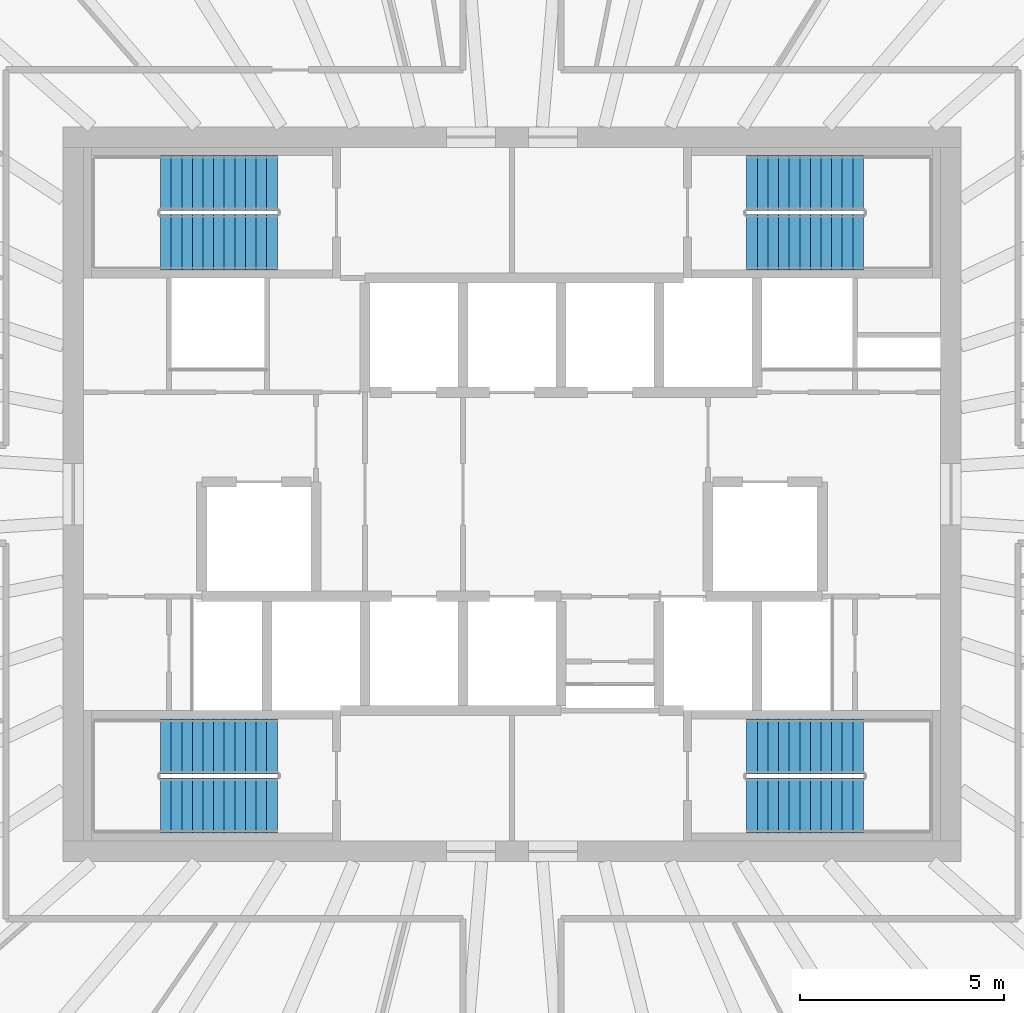
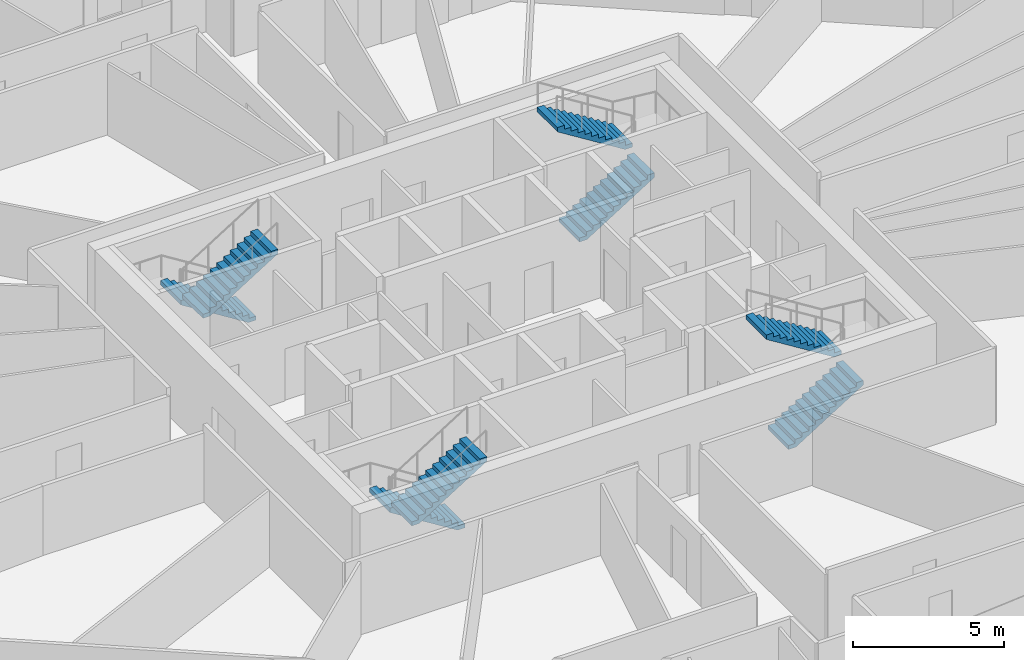
# One storey, part 11 of 12: 8 stair flights, 4 elements without a shape of their own.
"""IFC4 building model written with IfcOpenShell, lengths in metres."""

from ifc_helpers import new_model, si_unit, direction, frame, origin, place, context, subcontext, project, spatial, polyline, outline, extrude, source, transform, mapped, material, type_object, element, aggregate, save


model = new_model("IFC4")

# Units and contexts
model_context = context("Model", 3, precision=1e-05, world=origin(), true_north=direction((0.0, 1.0)))
body_context = subcontext(model_context, "Body", "Model", "MODEL_VIEW")
ifc_project = project(units=[si_unit("LENGTHUNIT", "METRE"), si_unit("AREAUNIT", "SQUARE_METRE"), si_unit("VOLUMEUNIT", "CUBIC_METRE"), si_unit("PLANEANGLEUNIT", "RADIAN"), si_unit("MASSUNIT", "GRAM", prefix="KILO")], contexts=[model_context])

# Site, building, storey
site_placement = place(None, origin())
site = spatial("IfcSite", under=ifc_project, at=site_placement, CompositionType="ELEMENT")
building_placement = place(site_placement, origin())
building = spatial("IfcBuilding", under=site, at=building_placement, Name="Embergate Tower", CompositionType="ELEMENT")
storey_placement = place(building_placement, frame((0.0, 0.0, 253.89990234375)))
storey = spatial("IfcBuildingStorey", under=building, at=storey_placement, Name="L58", CompositionType="ELEMENT", Elevation=253.89990234375)

# Stair, stair flights
ifc_material_1 = material(Name="Exit stair")
stair_type = type_object("IfcStairType", Name="Exit stair", PredefinedType="HALF_TURN_STAIR", material=ifc_material_1)
stair_1_placement = place(storey_placement, origin())
stair_1 = element("IfcStair", 1, at=stair_1_placement, inside=storey, type_object=stair_type, Name="L58 Exit stair 1", PredefinedType="HALF_TURN_STAIR")
ifc_material_2 = material(Name="Concrete C40", Category="concrete")
stair_flight_type = type_object("IfcStairFlightType", Name="Stair flight reinforced concrete", PredefinedType="STRAIGHT", material=ifc_material_2)
shared_shape = source(origin(), body_context, "Body", "SweptSolid", [
    extrude(outline(polyline([(0.0, 0.0), (0.0, 0.16259765625), (0.260009765625, 0.16259765625), (0.260009765625, 0.324951171875), (0.52001953125, 0.324951171875), (0.52001953125, 0.487548828125), (0.780029296875, 0.487548828125), (0.780029296875, 0.64990234375), (1.0400390625, 0.64990234375), (1.0400390625, 0.8125), (1.300048828125, 0.8125), (1.300048828125, 0.97509765625), (1.56005859375, 0.97509765625), (1.56005859375, 1.137451171875), (1.820068359375, 1.137451171875), (1.820068359375, 1.300048828125), (2.080078125, 1.300048828125), (2.080078125, 1.46240234375), (2.340087890625, 1.46240234375), (2.340087890625, 1.625), (2.60009765625, 1.625), (2.60009765625, 1.78759765625), (2.860107421875, 1.78759765625), (2.860107421875, 1.949951171875), (2.860107421875, 1.61083984375), (0.28271484375, 0.0), (0.0, 0.0)])), frame((0.0, 0.675048828125, 0.0), z_axis=(0.0, -1.0, 0.0), x_axis=(1.0, 0.0, 0.0)), (0.0, 0.0, 1.0), 1.35009765625),
])
stair_flight_1_placement = place(storey_placement, frame((-5.75, 7.625, 0.0), z_axis=(0.0, 0.0, 1.0), x_axis=(-1.0, 0.0, 0.0)))
stair_flight_1 = element("IfcStairFlight", 2, at=stair_flight_1_placement, type_object=stair_flight_type, Name="ST1 flight 1", NumberOfRisers=12, NumberOfTreads=11, PredefinedType="STRAIGHT", RiserHeight=0.1625, TreadLength=0.26, context=body_context, shape_type="MappedRepresentation", body=[
    mapped(shared_shape, transform((0.0, 0.0, 0.0))),
])
stair_flight_2_placement = place(storey_placement, frame((-8.610107421875, 6.175048828125, 1.9501953125), z_axis=(0.0, 0.0, 1.0), x_axis=(1.0, 0.0, 0.0)))
stair_flight_2 = element("IfcStairFlight", 3, at=stair_flight_2_placement, type_object=stair_flight_type, Name="ST1 flight 2", NumberOfRisers=12, NumberOfTreads=11, PredefinedType="STRAIGHT", RiserHeight=0.1625, TreadLength=0.26, context=body_context, shape_type="MappedRepresentation", body=[
    mapped(shared_shape, transform((0.0, 0.0, 0.0))),
])
aggregate(stair_1, [stair_flight_1, stair_flight_2])

stair_2_placement = place(storey_placement, origin())
stair_2 = element("IfcStair", 4, at=stair_2_placement, inside=storey, type_object=stair_type, Name="L58 Exit stair 2", PredefinedType="HALF_TURN_STAIR")
stair_flight_3_placement = place(storey_placement, frame((5.75, 6.175048828125, 0.0), z_axis=(0.0, 0.0, 1.0), x_axis=(1.0, 0.0, 0.0)))
stair_flight_3 = element("IfcStairFlight", 5, at=stair_flight_3_placement, type_object=stair_flight_type, Name="ST2 flight 1", NumberOfRisers=12, NumberOfTreads=11, PredefinedType="STRAIGHT", RiserHeight=0.1625, TreadLength=0.26, context=body_context, shape_type="MappedRepresentation", body=[
    mapped(shared_shape, transform((0.0, 0.0, 0.0))),
])
stair_flight_4_placement = place(storey_placement, frame((8.610107421875, 7.625, 1.9501953125), z_axis=(0.0, 0.0, 1.0), x_axis=(-1.0, 0.0, 0.0)))
stair_flight_4 = element("IfcStairFlight", 6, at=stair_flight_4_placement, type_object=stair_flight_type, Name="ST2 flight 2", NumberOfRisers=12, NumberOfTreads=11, PredefinedType="STRAIGHT", RiserHeight=0.1625, TreadLength=0.26, context=body_context, shape_type="MappedRepresentation", body=[
    mapped(shared_shape, transform((0.0, 0.0, 0.0))),
])
aggregate(stair_2, [stair_flight_3, stair_flight_4])

stair_3_placement = place(storey_placement, origin())
stair_3 = element("IfcStair", 7, at=stair_3_placement, inside=storey, type_object=stair_type, Name="L58 Exit stair 3", PredefinedType="HALF_TURN_STAIR")
stair_flight_5_placement = place(storey_placement, frame((-5.75, -6.175048828125, 0.0), z_axis=(0.0, 0.0, 1.0), x_axis=(-1.0, 0.0, 0.0)))
stair_flight_5 = element("IfcStairFlight", 8, at=stair_flight_5_placement, type_object=stair_flight_type, Name="ST3 flight 1", NumberOfRisers=12, NumberOfTreads=11, PredefinedType="STRAIGHT", RiserHeight=0.1625, TreadLength=0.26, context=body_context, shape_type="MappedRepresentation", body=[
    mapped(shared_shape, transform((0.0, 0.0, 0.0))),
])
stair_flight_6_placement = place(storey_placement, frame((-8.610107421875, -7.625, 1.9501953125), z_axis=(0.0, 0.0, 1.0), x_axis=(1.0, 0.0, 0.0)))
stair_flight_6 = element("IfcStairFlight", 9, at=stair_flight_6_placement, type_object=stair_flight_type, Name="ST3 flight 2", NumberOfRisers=12, NumberOfTreads=11, PredefinedType="STRAIGHT", RiserHeight=0.1625, TreadLength=0.26, context=body_context, shape_type="MappedRepresentation", body=[
    mapped(shared_shape, transform((0.0, 0.0, 0.0))),
])
aggregate(stair_3, [stair_flight_5, stair_flight_6])

stair_4_placement = place(storey_placement, origin())
stair_4 = element("IfcStair", 10, at=stair_4_placement, inside=storey, type_object=stair_type, Name="L58 Exit stair 4", PredefinedType="HALF_TURN_STAIR")
stair_flight_7_placement = place(storey_placement, frame((5.75, -7.625, 0.0), z_axis=(0.0, 0.0, 1.0), x_axis=(1.0, 0.0, 0.0)))
stair_flight_7 = element("IfcStairFlight", 11, at=stair_flight_7_placement, type_object=stair_flight_type, Name="ST4 flight 1", NumberOfRisers=12, NumberOfTreads=11, PredefinedType="STRAIGHT", RiserHeight=0.1625, TreadLength=0.26, context=body_context, shape_type="MappedRepresentation", body=[
    mapped(shared_shape, transform((0.0, 0.0, 0.0))),
])
stair_flight_8_placement = place(storey_placement, frame((8.610107421875, -6.175048828125, 1.9501953125), z_axis=(0.0, 0.0, 1.0), x_axis=(-1.0, 0.0, 0.0)))
stair_flight_8 = element("IfcStairFlight", 12, at=stair_flight_8_placement, type_object=stair_flight_type, Name="ST4 flight 2", NumberOfRisers=12, NumberOfTreads=11, PredefinedType="STRAIGHT", RiserHeight=0.1625, TreadLength=0.26, context=body_context, shape_type="MappedRepresentation", body=[
    mapped(shared_shape, transform((0.0, 0.0, 0.0))),
])
aggregate(stair_4, [stair_flight_7, stair_flight_8])

save(model, "model.ifc")
